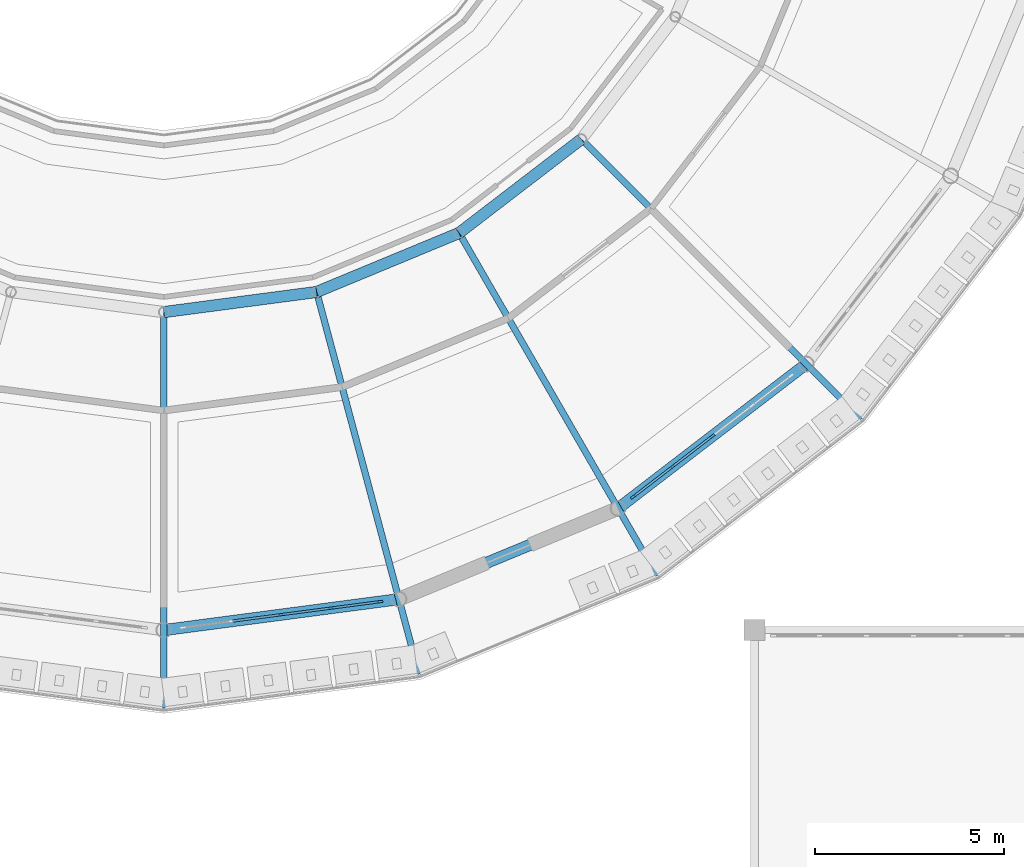
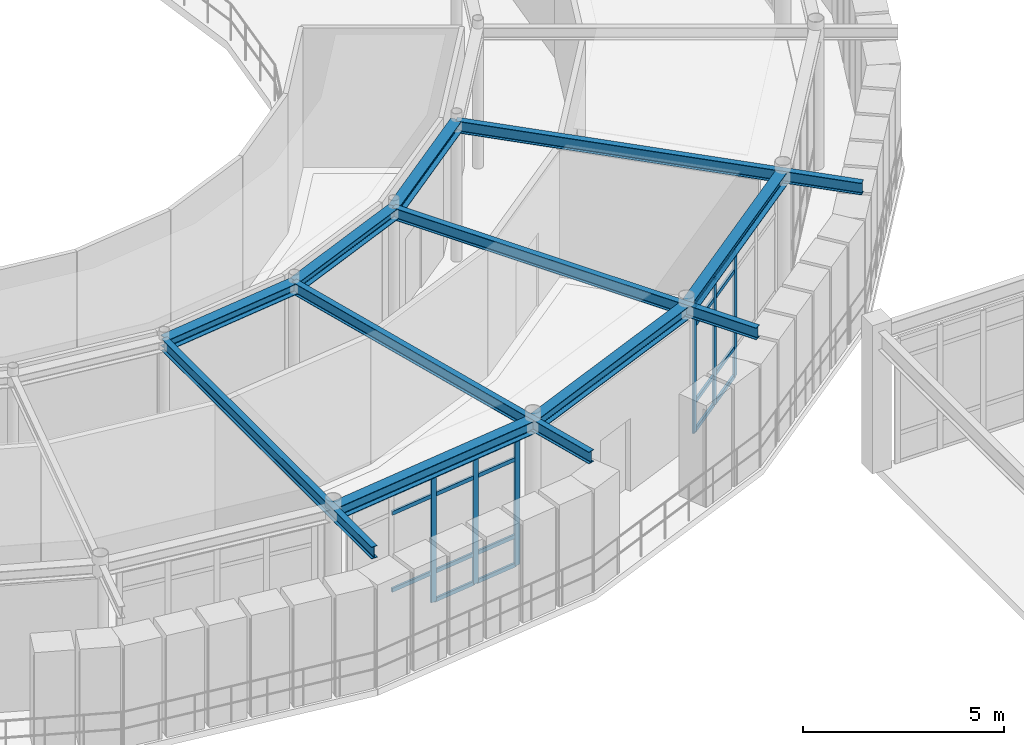
# One storey, part 38 of 106: 25 members, 10 beams, 2 elements without a shape of their own.
"""IFC4 building model written with IfcOpenShell, lengths in metres."""

from ifc_helpers import new_model, si_unit, derived_unit, direction, frame, origin, origin_2d, place, context, subcontext, project, spatial, rectangle, i_section, extrude, material, layer, layer_set, material_profile, profile_set, type_object, element, aggregate, save


model = new_model("IFC4")

# Units and contexts
model_context = context("Model", 3, precision=1e-05, world=origin(), true_north=direction((0.0, 1.0)))
body_context = subcontext(model_context, "Body", "Model", "MODEL_VIEW")
ifc_project = project(units=[si_unit("LENGTHUNIT", "METRE"), si_unit("AREAUNIT", "SQUARE_METRE"), si_unit("VOLUMEUNIT", "CUBIC_METRE"), si_unit("PLANEANGLEUNIT", "RADIAN"), si_unit("MASSUNIT", "GRAM", prefix="KILO"), derived_unit("THERMALTRANSMITTANCEUNIT", [(si_unit("POWERUNIT", "WATT"), 1), (si_unit("AREAUNIT", "SQUARE_METRE"), -1), (si_unit("THERMODYNAMICTEMPERATUREUNIT", "KELVIN"), -1)])], contexts=[model_context])

# Site, building, storey
site_placement = place(None, origin())
site = spatial("IfcSite", under=ifc_project, at=site_placement, CompositionType="ELEMENT")
building_placement = place(site_placement, origin())
building = spatial("IfcBuilding", under=site, at=building_placement, Name="Yasenodar Specialist Clinic", CompositionType="ELEMENT")
storey_placement = place(building_placement, frame((0.0, 0.0, 4.5)))
storey = spatial("IfcBuildingStorey", under=building, at=storey_placement, Name="L01", CompositionType="ELEMENT", Elevation=4.5)

# Beams
ifc_material_1 = material(Name="Steel S355", Category="steel")
ifc_material_profile_1 = material_profile(ifc_material_1, i_section(OverallWidth=0.300048828125, OverallDepth=0.330078125, WebThickness=0.009521484375, FlangeThickness=0.0166015625, FilletRadius=0.027099609375, at=origin_2d()), Name="HEA 340")
ifc_profile_set_1 = profile_set([ifc_material_profile_1], Name="Steel S355")
beam_type_1 = type_object("IfcBeamType", Name="BM-HEA340", PredefinedType="BEAM", material=ifc_profile_set_1)
for number, where, z_axis, x_axis, name in (
    (1, (81.0, 43.199951171875, 4.0849609375), (0.991439189385, 0.130569268018, 0.0), (-0.130569268018, 0.991439189385, 0.0), "L01 Drum V1 Inner Ring Beam"),
    (2, (85.03759765625, 43.731689453125, 4.0849609375), (0.92388896868, 0.382660650645, 0.0), (-0.382660650645, 0.92388896868, 0.0), "L01 Drum V1 Inner Ring Beam"),
    (3, (88.800048828125, 45.2900390625, 4.0849609375), (0.793376657722, 0.608731039936, 0.0), (-0.608731039936, 0.793376657722, 0.0), "L01 Drum V1 Inner Ring Beam"),
):
    element("IfcBeam", number, at=place(storey_placement, frame(where, z_axis=z_axis, x_axis=x_axis)), inside=storey, type_object=beam_type_1, Name=name, PredefinedType="BEAM", context=body_context, shape_type="SweptSolid", body=[
        extrude(i_section(OverallWidth=0.300048828125, OverallDepth=0.330078125, WebThickness=0.009521484375, FlangeThickness=0.0166015625, FilletRadius=0.027099609375, at=origin_2d()), origin(), (0.0, 0.0, 1.0), 4.072509765625),
    ])
ifc_material_profile_2 = material_profile(ifc_material_1, i_section(OverallWidth=0.300048828125, OverallDepth=0.389892578125, WebThickness=0.010986328125, FlangeThickness=0.01904296875, FilletRadius=0.027099609375, at=origin_2d()), Name="HEA 400")
ifc_profile_set_2 = profile_set([ifc_material_profile_2], Name="Steel S355")
beam_type_2 = type_object("IfcBeamType", Name="BM-HEA400", PredefinedType="BEAM", material=ifc_profile_set_2)
beam_1_placement = place(storey_placement, frame((81.0, 34.800048828125, 4.054931640625), z_axis=(0.991443018138, 0.130540192224, 0.0), x_axis=(-0.130540192224, 0.991443018138, 0.0)))
element("IfcBeam", 4, at=beam_1_placement, inside=storey, type_object=beam_type_2, Name="L01 Drum V1 Perimeter Ring Beam", PredefinedType="BEAM", context=body_context, shape_type="SweptSolid", body=[
    extrude(i_section(OverallWidth=0.300048828125, OverallDepth=0.389892578125, WebThickness=0.010986328125, FlangeThickness=0.01904296875, FilletRadius=0.027099609375, at=origin_2d()), origin(), (0.0, 0.0, 1.0), 6.265380859375),
])
beam_2_placement = place(storey_placement, frame((87.211669921875, 35.617919921875, 4.054931640625), z_axis=(0.9238876519, 0.382663829839, 0.0), x_axis=(-0.382663829839, 0.9238876519, 0.0)))
element("IfcBeam", 5, at=beam_2_placement, inside=storey, type_object=beam_type_2, Name="L01 Drum V1 Perimeter Ring Beam", PredefinedType="BEAM", context=body_context, shape_type="SweptSolid", body=[
    extrude(i_section(OverallWidth=0.300048828125, OverallDepth=0.389892578125, WebThickness=0.010986328125, FlangeThickness=0.01904296875, FilletRadius=0.027099609375, at=origin_2d()), origin(), (0.0, 0.0, 1.0), 6.26513671875),
])
beam_3_placement = place(storey_placement, frame((93.0, 38.015380859375, 4.054931640625), z_axis=(0.793367971845, 0.608742360322, 0.0), x_axis=(-0.608742360322, 0.793367971845, 0.0)))
element("IfcBeam", 6, at=beam_3_placement, inside=storey, type_object=beam_type_2, Name="L01 Drum V1 Perimeter Ring Beam", PredefinedType="BEAM", context=body_context, shape_type="SweptSolid", body=[
    extrude(i_section(OverallWidth=0.300048828125, OverallDepth=0.389892578125, WebThickness=0.010986328125, FlangeThickness=0.01904296875, FilletRadius=0.027099609375, at=origin_2d()), origin(), (0.0, 0.0, 1.0), 6.265380859375),
])
ifc_material_profile_3 = material_profile(ifc_material_1, i_section(OverallWidth=0.169921875, OverallDepth=0.360107421875, WebThickness=0.008056640625, FlangeThickness=0.0126953125, FilletRadius=0.01806640625, at=origin_2d()), Name="IPE 360")
ifc_profile_set_3 = profile_set([ifc_material_profile_3], Name="Steel S355")
beam_type_3 = type_object("IfcBeamType", Name="BM-IPE360", PredefinedType="BEAM", material=ifc_profile_set_3)
for number, where, z_axis, x_axis, name in (
    (7, (81.0, 43.199951171875, 4.070068359375), (0.0, -1.0, 0.0), (1.0, 0.0, 0.0), "L01 Drum V1 Radial Back-Spanned Cantilever Beam"),
    (8, (85.03759765625, 43.731689453125, 4.070068359375), (0.258811211874, -0.965927925162, 0.0), (0.965927925162, 0.258811211874, 0.0), "L01 Drum V1 Radial Back-Spanned Cantilever Beam"),
    (9, (88.800048828125, 45.2900390625, 4.070068359375), (0.499986032603, -0.866033467715, 0.0), (0.866033467715, 0.499986032603, 0.0), "L01 Drum V1 Radial Back-Spanned Cantilever Beam"),
    (10, (92.031005859375, 47.76904296875, 4.070068359375), (0.707106781187, -0.707106781187, 0.0), (0.707106781187, 0.707106781187, 0.0), "L01 Drum V1 Radial Back-Spanned Cantilever Beam"),
):
    element("IfcBeam", number, at=place(storey_placement, frame(where, z_axis=z_axis, x_axis=x_axis)), inside=storey, type_object=beam_type_3, Name=name, PredefinedType="BEAM", context=body_context, shape_type="SweptSolid", body=[
        extrude(i_section(OverallWidth=0.169921875, OverallDepth=0.360107421875, WebThickness=0.008056640625, FlangeThickness=0.0126953125, FilletRadius=0.01806640625, at=origin_2d()), origin(), (0.0, 0.0, 1.0), 10.449951171875),
    ])

# Curtain wall, members
ifc_material_2 = material(Name="Bronze Anodized Aluminium and Triple Low-E Glass", Category="aluminium")
ifc_layer = layer(ifc_material_2, 0.1669921875)
ifc_layer_set = layer_set([ifc_layer], Name="Bronze Anodized Aluminium and Triple Low-E Glass")
curtain_wall_type = type_object("IfcCurtainWallType", Name="CW-SYS-01", PredefinedType="USERDEFINED", material=ifc_layer_set)
curtain_wall_1_placement = place(storey_placement, origin())
curtain_wall_1 = element("IfcCurtainWall", 11, at=curtain_wall_1_placement, inside=storey, type_object=curtain_wall_type, Name="L01 Unitised Curtain Wall 022", ObjectType="UNITISED CURTAIN WALL", PredefinedType="USERDEFINED")
ifc_material_3 = material(Name="Bronze Anodized Aluminium", Category="aluminium")
ifc_material_profile_4 = material_profile(ifc_material_3, rectangle(XDim=0.06005859375, YDim=0.159912109375, at=origin_2d()), Name="CW-MULL 60x160")
ifc_profile_set_4 = profile_set([ifc_material_profile_4], Name="Bronze Anodized Aluminium")
member_type_1 = type_object("IfcMemberType", Name="CW-MULL-160", PredefinedType="MULLION", material=ifc_profile_set_4)
member_1_placement = place(storey_placement, frame((86.7060546875, 35.55126953125, 0.0), z_axis=(0.0, 0.0, 1.0), x_axis=(0.13051156024, -0.991446787601, 0.0)))
member_1 = element("IfcMember", 12, at=member_1_placement, type_object=member_type_1, Name="CW-01 mullion 1", PredefinedType="MULLION", context=body_context, shape_type="SweptSolid", body=[
    extrude(rectangle(XDim=0.06005859375, YDim=0.159912109375, at=origin_2d()), origin(), (0.0, 0.0, 1.0), 3.837890625),
])
member_2_placement = place(storey_placement, frame((85.4208984375, 35.382080078125, 0.0), z_axis=(0.0, 0.0, 1.0), x_axis=(0.13051156024, -0.991446787601, 0.0)))
member_2 = element("IfcMember", 13, at=member_2_placement, type_object=member_type_1, Name="CW-01 mullion 2", PredefinedType="MULLION", context=body_context, shape_type="SweptSolid", body=[
    extrude(rectangle(XDim=0.06005859375, YDim=0.159912109375, at=origin_2d()), origin(), (0.0, 0.0, 1.0), 3.837890625),
])
member_3_placement = place(storey_placement, frame((84.10595703125, 35.208984375, 0.0), z_axis=(0.0, 0.0, 1.0), x_axis=(0.13051156024, -0.991446787601, 0.0)))
member_3 = element("IfcMember", 14, at=member_3_placement, type_object=member_type_1, Name="CW-01 mullion 3", PredefinedType="MULLION", context=body_context, shape_type="SweptSolid", body=[
    extrude(rectangle(XDim=0.06005859375, YDim=0.159912109375, at=origin_2d()), origin(), (0.0, 0.0, 1.0), 3.837890625),
])

curtain_wall_2_placement = place(storey_placement, origin())
curtain_wall_2 = element("IfcCurtainWall", 15, at=curtain_wall_2_placement, inside=storey, type_object=curtain_wall_type, Name="L01 Unitised Curtain Wall 023", ObjectType="UNITISED CURTAIN WALL", PredefinedType="USERDEFINED")
member_4_placement = place(storey_placement, frame((95.4853515625, 39.92236328125, 0.0), z_axis=(0.0, 0.0, 1.0), x_axis=(0.608752021844, -0.793360558574, 0.0)))
member_4 = element("IfcMember", 16, at=member_4_placement, type_object=member_type_1, Name="CW-01 mullion 3", PredefinedType="MULLION", context=body_context, shape_type="SweptSolid", body=[
    extrude(rectangle(XDim=0.06005859375, YDim=0.159912109375, at=origin_2d()), origin(), (0.0, 0.0, 1.0), 3.837890625),
])
member_5_placement = place(storey_placement, frame((94.43310546875, 39.114990234375, 0.0), z_axis=(0.0, 0.0, 1.0), x_axis=(0.608752021844, -0.793360558574, 0.0)))
member_5 = element("IfcMember", 17, at=member_5_placement, type_object=member_type_1, Name="CW-01 mullion 4", PredefinedType="MULLION", context=body_context, shape_type="SweptSolid", body=[
    extrude(rectangle(XDim=0.06005859375, YDim=0.159912109375, at=origin_2d()), origin(), (0.0, 0.0, 1.0), 3.837890625),
])
member_6_placement = place(storey_placement, frame((93.404541015625, 38.325927734375, 0.0), z_axis=(0.0, 0.0, 1.0), x_axis=(0.608752021844, -0.793360558574, 0.0)))
member_6 = element("IfcMember", 18, at=member_6_placement, type_object=member_type_1, Name="CW-01 mullion 5", PredefinedType="MULLION", context=body_context, shape_type="SweptSolid", body=[
    extrude(rectangle(XDim=0.06005859375, YDim=0.159912109375, at=origin_2d()), origin(), (0.0, 0.0, 1.0), 3.837890625),
])

# Member
ifc_material_profile_5 = material_profile(ifc_material_3, rectangle(XDim=0.06005859375, YDim=0.1201171875, at=origin_2d()), Name="CW-TRAN 60x120")
ifc_profile_set_5 = profile_set([ifc_material_profile_5], Name="Bronze Anodized Aluminium")
member_type_2 = type_object("IfcMemberType", Name="CW-TRAN-120", PredefinedType="USERDEFINED", material=ifc_profile_set_5)
member_7_placement = place(storey_placement, frame((86.67626953125, 35.54736328125, 0.030029296875), z_axis=(-0.991442191305, -0.130546471803, 0.0), x_axis=(0.130546471803, -0.991442191305, 0.0)))
member_7 = element("IfcMember", 19, at=member_7_placement, type_object=member_type_2, Name="CW-01 transom 1.1", ObjectType="TRANSOM", PredefinedType="USERDEFINED", context=body_context, shape_type="SweptSolid", body=[
    extrude(rectangle(XDim=0.06005859375, YDim=0.1201171875, at=origin_2d()), origin(), (0.0, 0.0, 1.0), 1.236083984375),
])

member_8_placement = place(storey_placement, frame((86.67626953125, 35.54736328125, 0.89990234375), z_axis=(-0.991442191305, -0.130546471803, 0.0), x_axis=(0.130546471803, -0.991442191305, 0.0)))
member_8 = element("IfcMember", 20, at=member_8_placement, type_object=member_type_2, Name="CW-01 transom 1.2", ObjectType="TRANSOM", PredefinedType="USERDEFINED", context=body_context, shape_type="SweptSolid", body=[
    extrude(rectangle(XDim=0.06005859375, YDim=0.1201171875, at=origin_2d()), origin(), (0.0, 0.0, 1.0), 1.236083984375),
])

member_9_placement = place(storey_placement, frame((86.67626953125, 35.54736328125, 3.238037109375), z_axis=(-0.991442191305, -0.130546471803, 0.0), x_axis=(0.130546471803, -0.991442191305, 0.0)))
member_9 = element("IfcMember", 21, at=member_9_placement, type_object=member_type_2, Name="CW-01 transom 1.3", ObjectType="TRANSOM", PredefinedType="USERDEFINED", context=body_context, shape_type="SweptSolid", body=[
    extrude(rectangle(XDim=0.06005859375, YDim=0.1201171875, at=origin_2d()), origin(), (0.0, 0.0, 1.0), 1.236083984375),
])

member_10_placement = place(storey_placement, frame((86.67626953125, 35.54736328125, 3.80810546875), z_axis=(-0.991442191305, -0.130546471803, 0.0), x_axis=(0.130546471803, -0.991442191305, 0.0)))
member_10 = element("IfcMember", 22, at=member_10_placement, type_object=member_type_2, Name="CW-01 transom 1.4", ObjectType="TRANSOM", PredefinedType="USERDEFINED", context=body_context, shape_type="SweptSolid", body=[
    extrude(rectangle(XDim=0.06005859375, YDim=0.1201171875, at=origin_2d()), origin(), (0.0, 0.0, 1.0), 1.236083984375),
])

member_11_placement = place(storey_placement, frame((85.39111328125, 35.378173828125, 0.030029296875), z_axis=(-0.991447076407, -0.13050936627, 0.0), x_axis=(0.13050936627, -0.991447076407, 0.0)))
member_11 = element("IfcMember", 23, at=member_11_placement, type_object=member_type_2, Name="CW-01 transom 2.1", ObjectType="TRANSOM", PredefinedType="USERDEFINED", context=body_context, shape_type="SweptSolid", body=[
    extrude(rectangle(XDim=0.06005859375, YDim=0.1201171875, at=origin_2d()), origin(), (0.0, 0.0, 1.0), 1.266357421875),
])

member_12_placement = place(storey_placement, frame((85.39111328125, 35.378173828125, 0.89990234375), z_axis=(-0.991447076407, -0.13050936627, 0.0), x_axis=(0.13050936627, -0.991447076407, 0.0)))
member_12 = element("IfcMember", 24, at=member_12_placement, type_object=member_type_2, Name="CW-01 transom 2.2", ObjectType="TRANSOM", PredefinedType="USERDEFINED", context=body_context, shape_type="SweptSolid", body=[
    extrude(rectangle(XDim=0.06005859375, YDim=0.1201171875, at=origin_2d()), origin(), (0.0, 0.0, 1.0), 1.266357421875),
])

member_13_placement = place(storey_placement, frame((85.39111328125, 35.378173828125, 3.238037109375), z_axis=(-0.991447076407, -0.13050936627, 0.0), x_axis=(0.13050936627, -0.991447076407, 0.0)))
member_13 = element("IfcMember", 25, at=member_13_placement, type_object=member_type_2, Name="CW-01 transom 2.3", ObjectType="TRANSOM", PredefinedType="USERDEFINED", context=body_context, shape_type="SweptSolid", body=[
    extrude(rectangle(XDim=0.06005859375, YDim=0.1201171875, at=origin_2d()), origin(), (0.0, 0.0, 1.0), 1.266357421875),
])

member_14_placement = place(storey_placement, frame((85.39111328125, 35.378173828125, 3.80810546875), z_axis=(-0.991447076407, -0.13050936627, 0.0), x_axis=(0.13050936627, -0.991447076407, 0.0)))
member_14 = element("IfcMember", 26, at=member_14_placement, type_object=member_type_2, Name="CW-01 transom 2.4", ObjectType="TRANSOM", PredefinedType="USERDEFINED", context=body_context, shape_type="SweptSolid", body=[
    extrude(rectangle(XDim=0.06005859375, YDim=0.1201171875, at=origin_2d()), origin(), (0.0, 0.0, 1.0), 1.266357421875),
])

member_15_placement = place(storey_placement, frame((84.076171875, 35.205078125, 0.89990234375), z_axis=(-0.991447076407, -0.13050936627, 0.0), x_axis=(0.13050936627, -0.991447076407, 0.0)))
member_15 = element("IfcMember", 27, at=member_15_placement, type_object=member_type_2, Name="CW-01 transom 3.2", ObjectType="TRANSOM", PredefinedType="USERDEFINED", context=body_context, shape_type="SweptSolid", body=[
    extrude(rectangle(XDim=0.06005859375, YDim=0.1201171875, at=origin_2d()), origin(), (0.0, 0.0, 1.0), 1.266357421875),
])

member_16_placement = place(storey_placement, frame((84.076171875, 35.205078125, 3.238037109375), z_axis=(-0.991447076407, -0.13050936627, 0.0), x_axis=(0.13050936627, -0.991447076407, 0.0)))
member_16 = element("IfcMember", 28, at=member_16_placement, type_object=member_type_2, Name="CW-01 transom 3.3", ObjectType="TRANSOM", PredefinedType="USERDEFINED", context=body_context, shape_type="SweptSolid", body=[
    extrude(rectangle(XDim=0.06005859375, YDim=0.1201171875, at=origin_2d()), origin(), (0.0, 0.0, 1.0), 1.266357421875),
])

member_17_placement = place(storey_placement, frame((84.076171875, 35.205078125, 3.80810546875), z_axis=(-0.991447076407, -0.13050936627, 0.0), x_axis=(0.13050936627, -0.991447076407, 0.0)))
member_17 = element("IfcMember", 29, at=member_17_placement, type_object=member_type_2, Name="CW-01 transom 3.4", ObjectType="TRANSOM", PredefinedType="USERDEFINED", context=body_context, shape_type="SweptSolid", body=[
    extrude(rectangle(XDim=0.06005859375, YDim=0.1201171875, at=origin_2d()), origin(), (0.0, 0.0, 1.0), 1.266357421875),
])

aggregate(curtain_wall_1, [member_1, member_2, member_3, member_7, member_8, member_9, member_10, member_11, member_12, member_13, member_14, member_15, member_16, member_17])

member_18_placement = place(storey_placement, frame((95.46142578125, 39.904052734375, 0.030029296875), z_axis=(-0.793404604701, -0.608694614104, 0.0), x_axis=(0.608694614104, -0.793404604701, 0.0)))
member_18 = element("IfcMember", 30, at=member_18_placement, type_object=member_type_2, Name="CW-01 transom 3.1", ObjectType="TRANSOM", PredefinedType="USERDEFINED", context=body_context, shape_type="SweptSolid", body=[
    extrude(rectangle(XDim=0.06005859375, YDim=0.1201171875, at=origin_2d()), origin(), (0.0, 0.0, 1.0), 1.266357421875),
])

member_19_placement = place(storey_placement, frame((95.46142578125, 39.904052734375, 0.89990234375), z_axis=(-0.793404604701, -0.608694614104, 0.0), x_axis=(0.608694614104, -0.793404604701, 0.0)))
member_19 = element("IfcMember", 31, at=member_19_placement, type_object=member_type_2, Name="CW-01 transom 3.2", ObjectType="TRANSOM", PredefinedType="USERDEFINED", context=body_context, shape_type="SweptSolid", body=[
    extrude(rectangle(XDim=0.06005859375, YDim=0.1201171875, at=origin_2d()), origin(), (0.0, 0.0, 1.0), 1.266357421875),
])

member_20_placement = place(storey_placement, frame((95.46142578125, 39.904052734375, 3.238037109375), z_axis=(-0.793404604701, -0.608694614104, 0.0), x_axis=(0.608694614104, -0.793404604701, 0.0)))
member_20 = element("IfcMember", 32, at=member_20_placement, type_object=member_type_2, Name="CW-01 transom 3.3", ObjectType="TRANSOM", PredefinedType="USERDEFINED", context=body_context, shape_type="SweptSolid", body=[
    extrude(rectangle(XDim=0.06005859375, YDim=0.1201171875, at=origin_2d()), origin(), (0.0, 0.0, 1.0), 1.266357421875),
])

member_21_placement = place(storey_placement, frame((95.46142578125, 39.904052734375, 3.80810546875), z_axis=(-0.793404604701, -0.608694614104, 0.0), x_axis=(0.608694614104, -0.793404604701, 0.0)))
member_21 = element("IfcMember", 33, at=member_21_placement, type_object=member_type_2, Name="CW-01 transom 3.4", ObjectType="TRANSOM", PredefinedType="USERDEFINED", context=body_context, shape_type="SweptSolid", body=[
    extrude(rectangle(XDim=0.06005859375, YDim=0.1201171875, at=origin_2d()), origin(), (0.0, 0.0, 1.0), 1.266357421875),
])

member_22_placement = place(storey_placement, frame((94.4091796875, 39.0966796875, 0.030029296875), z_axis=(-0.793386964626, -0.608717606417, 0.0), x_axis=(0.608717606417, -0.793386964626, 0.0)))
member_22 = element("IfcMember", 34, at=member_22_placement, type_object=member_type_2, Name="CW-01 transom 4.1", ObjectType="TRANSOM", PredefinedType="USERDEFINED", context=body_context, shape_type="SweptSolid", body=[
    extrude(rectangle(XDim=0.06005859375, YDim=0.1201171875, at=origin_2d()), origin(), (0.0, 0.0, 1.0), 1.236083984375),
])

member_23_placement = place(storey_placement, frame((94.4091796875, 39.0966796875, 0.89990234375), z_axis=(-0.793386964626, -0.608717606417, 0.0), x_axis=(0.608717606417, -0.793386964626, 0.0)))
member_23 = element("IfcMember", 35, at=member_23_placement, type_object=member_type_2, Name="CW-01 transom 4.2", ObjectType="TRANSOM", PredefinedType="USERDEFINED", context=body_context, shape_type="SweptSolid", body=[
    extrude(rectangle(XDim=0.06005859375, YDim=0.1201171875, at=origin_2d()), origin(), (0.0, 0.0, 1.0), 1.236083984375),
])

member_24_placement = place(storey_placement, frame((94.4091796875, 39.0966796875, 3.238037109375), z_axis=(-0.793386964626, -0.608717606417, 0.0), x_axis=(0.608717606417, -0.793386964626, 0.0)))
member_24 = element("IfcMember", 36, at=member_24_placement, type_object=member_type_2, Name="CW-01 transom 4.3", ObjectType="TRANSOM", PredefinedType="USERDEFINED", context=body_context, shape_type="SweptSolid", body=[
    extrude(rectangle(XDim=0.06005859375, YDim=0.1201171875, at=origin_2d()), origin(), (0.0, 0.0, 1.0), 1.236083984375),
])

member_25_placement = place(storey_placement, frame((94.4091796875, 39.0966796875, 3.80810546875), z_axis=(-0.793386964626, -0.608717606417, 0.0), x_axis=(0.608717606417, -0.793386964626, 0.0)))
member_25 = element("IfcMember", 37, at=member_25_placement, type_object=member_type_2, Name="CW-01 transom 4.4", ObjectType="TRANSOM", PredefinedType="USERDEFINED", context=body_context, shape_type="SweptSolid", body=[
    extrude(rectangle(XDim=0.06005859375, YDim=0.1201171875, at=origin_2d()), origin(), (0.0, 0.0, 1.0), 1.236083984375),
])

aggregate(curtain_wall_2, [member_4, member_5, member_6, member_18, member_19, member_20, member_21, member_22, member_23, member_24, member_25])

save(model, "model.ifc")
